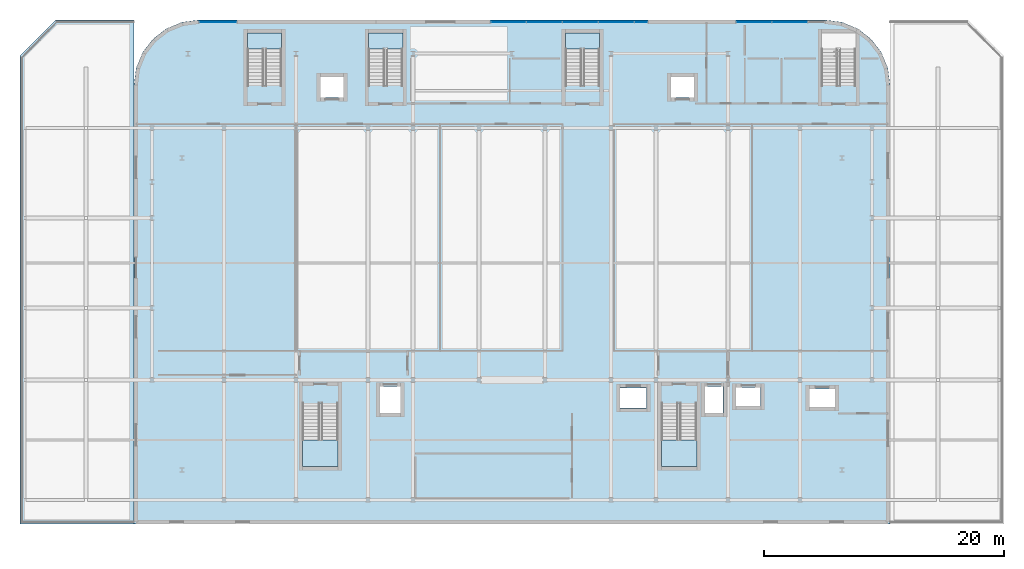
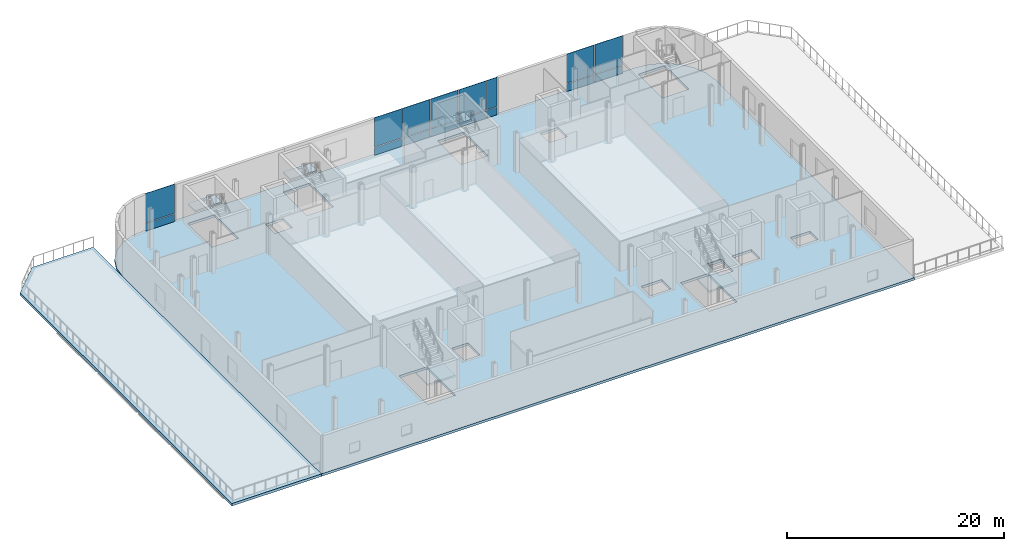
# One storey, part 13 of 26: 16 plates, 7 slabs, 8 elements without a shape of their own.
"""IFC4 building model written with IfcOpenShell, lengths in metres."""

from ifc_helpers import new_model, si_unit, direction, frame, origin, origin_2d, place, context, subcontext, project, spatial, polyline, rectangle, outline, extrude, material, layer, layer_set, type_object, element, aggregate, save


model = new_model("IFC4")

# Units and contexts
model_context = context("Model", 3, precision=1e-05, world=origin(), true_north=direction((0.0, 1.0)))
body_context = subcontext(model_context, "Body", "Model", "MODEL_VIEW")
ifc_project = project(units=[si_unit("LENGTHUNIT", "METRE"), si_unit("AREAUNIT", "SQUARE_METRE"), si_unit("VOLUMEUNIT", "CUBIC_METRE"), si_unit("PLANEANGLEUNIT", "RADIAN"), si_unit("MASSUNIT", "GRAM", prefix="KILO")], contexts=[model_context])

# Site, building, storey
site_placement = place(None, origin())
site = spatial("IfcSite", under=ifc_project, at=site_placement, CompositionType="ELEMENT")
building_placement = place(site_placement, origin())
building = spatial("IfcBuilding", under=site, at=building_placement, Name="Brevholm Reach", CompositionType="ELEMENT")
storey_placement = place(building_placement, frame((0.0, 0.0, 18.0)))
storey = spatial("IfcBuildingStorey", under=building, at=storey_placement, Name="L04", CompositionType="ELEMENT", Elevation=18.0)

# Curtain wall, plates
ifc_material_1 = material(Name="Dark Anodised Aluminium 6063-T6 and Solar-Control Glass", Category="aluminium")
ifc_layer_1 = layer(ifc_material_1, 0.1650390625)
ifc_layer_set_1 = layer_set([ifc_layer_1], Name="Dark Anodised Aluminium 6063-T6 and Solar-Control Glass")
curtain_wall_type = type_object("IfcCurtainWallType", Name="CW-03", PredefinedType="NOTDEFINED", material=ifc_layer_set_1)
curtain_wall_1_placement = place(storey_placement, origin())
curtain_wall_1 = element("IfcCurtainWall", 1, at=curtain_wall_1_placement, inside=storey, type_object=curtain_wall_type, Name="L04 Curtain Wall CW-03", PredefinedType="NOTDEFINED")
ifc_material_2 = material(Name="Triple-Glazed Acoustic School IGU Glass", Category="glass")
ifc_layer_2 = layer(ifc_material_2, 0.0439453125)
ifc_layer_set_2 = layer_set([ifc_layer_2], Name="Triple-Glazed Acoustic School IGU Glass")
plate_type = type_object("IfcPlateType", Name="CWP-ACU-44", PredefinedType="CURTAIN_PANEL", material=ifc_layer_set_2)
plate_1_placement = place(storey_placement, frame((5.5, 39.830078125, 0.0), z_axis=(0.0, 0.0, 1.0), x_axis=(1.0, 0.0, 0.0)))
plate_1 = element("IfcPlate", 2, at=plate_1_placement, type_object=plate_type, Name="CP-03 Glazing Panel 1.1", PredefinedType="CURTAIN_PANEL", context=body_context, shape_type="SweptSolid", body=[
    extrude(rectangle(XDim=3.06005859375, YDim=0.0439453125, at=origin_2d()), origin(), (0.0, 0.0, 1.0), 0.864990234375),
])
plate_2_placement = place(storey_placement, frame((5.5, 39.830078125, 0.93505859375), z_axis=(0.0, 0.0, 1.0), x_axis=(1.0, 0.0, 0.0)))
plate_2 = element("IfcPlate", 3, at=plate_2_placement, type_object=plate_type, Name="CP-03 Glazing Panel 1.2", PredefinedType="CURTAIN_PANEL", context=body_context, shape_type="SweptSolid", body=[
    extrude(rectangle(XDim=3.06005859375, YDim=0.0439453125, at=origin_2d()), origin(), (0.0, 0.0, 1.0), 3.284912109375),
])
aggregate(curtain_wall_1, [plate_1, plate_2])

curtain_wall_2_placement = place(storey_placement, origin())
curtain_wall_2 = element("IfcCurtainWall", 4, at=curtain_wall_2_placement, inside=storey, type_object=curtain_wall_type, Name="L04 Curtain Wall CW-03", PredefinedType="NOTDEFINED")
plate_3_placement = place(storey_placement, frame((29.717529296875, 39.830078125, 0.0), z_axis=(0.0, 0.0, 1.0), x_axis=(1.0, 0.0, 0.0)))
plate_3 = element("IfcPlate", 5, at=plate_3_placement, type_object=plate_type, Name="CP-03 Glazing Panel 1.1", PredefinedType="CURTAIN_PANEL", context=body_context, shape_type="SweptSolid", body=[
    extrude(rectangle(XDim=2.89501953125, YDim=0.0439453125, at=origin_2d()), origin(), (0.0, 0.0, 1.0), 0.864990234375),
])
plate_4_placement = place(storey_placement, frame((29.717529296875, 39.830078125, 0.93505859375), z_axis=(0.0, 0.0, 1.0), x_axis=(1.0, 0.0, 0.0)))
plate_4 = element("IfcPlate", 6, at=plate_4_placement, type_object=plate_type, Name="CP-03 Glazing Panel 1.2", PredefinedType="CURTAIN_PANEL", context=body_context, shape_type="SweptSolid", body=[
    extrude(rectangle(XDim=2.89501953125, YDim=0.0439453125, at=origin_2d()), origin(), (0.0, 0.0, 1.0), 3.284912109375),
])
plate_5_placement = place(storey_placement, frame((32.699951171875, 39.830078125, 0.0), z_axis=(0.0, 0.0, 1.0), x_axis=(1.0, 0.0, 0.0)))
plate_5 = element("IfcPlate", 7, at=plate_5_placement, type_object=plate_type, Name="CP-03 Glazing Panel 2.1", PredefinedType="CURTAIN_PANEL", context=body_context, shape_type="SweptSolid", body=[
    extrude(rectangle(XDim=2.929931640625, YDim=0.0439453125, at=origin_2d()), origin(), (0.0, 0.0, 1.0), 0.864990234375),
])
plate_6_placement = place(storey_placement, frame((32.699951171875, 39.830078125, 0.93505859375), z_axis=(0.0, 0.0, 1.0), x_axis=(1.0, 0.0, 0.0)))
plate_6 = element("IfcPlate", 8, at=plate_6_placement, type_object=plate_type, Name="CP-03 Glazing Panel 2.2", PredefinedType="CURTAIN_PANEL", context=body_context, shape_type="SweptSolid", body=[
    extrude(rectangle(XDim=2.929931640625, YDim=0.0439453125, at=origin_2d()), origin(), (0.0, 0.0, 1.0), 3.284912109375),
])
plate_7_placement = place(storey_placement, frame((35.699951171875, 39.830078125, 0.0), z_axis=(0.0, 0.0, 1.0), x_axis=(1.0, 0.0, 0.0)))
plate_7 = element("IfcPlate", 9, at=plate_7_placement, type_object=plate_type, Name="CP-03 Glazing Panel 3.1", PredefinedType="CURTAIN_PANEL", context=body_context, shape_type="SweptSolid", body=[
    extrude(rectangle(XDim=2.929931640625, YDim=0.0439453125, at=origin_2d()), origin(), (0.0, 0.0, 1.0), 0.864990234375),
])
plate_8_placement = place(storey_placement, frame((35.699951171875, 39.830078125, 0.93505859375), z_axis=(0.0, 0.0, 1.0), x_axis=(1.0, 0.0, 0.0)))
plate_8 = element("IfcPlate", 10, at=plate_8_placement, type_object=plate_type, Name="CP-03 Glazing Panel 3.2", PredefinedType="CURTAIN_PANEL", context=body_context, shape_type="SweptSolid", body=[
    extrude(rectangle(XDim=2.929931640625, YDim=0.0439453125, at=origin_2d()), origin(), (0.0, 0.0, 1.0), 3.284912109375),
])
plate_9_placement = place(storey_placement, frame((38.699951171875, 39.830078125, 0.0), z_axis=(0.0, 0.0, 1.0), x_axis=(1.0, 0.0, 0.0)))
plate_9 = element("IfcPlate", 11, at=plate_9_placement, type_object=plate_type, Name="CP-03 Glazing Panel 4.1", PredefinedType="CURTAIN_PANEL", context=body_context, shape_type="SweptSolid", body=[
    extrude(rectangle(XDim=2.929931640625, YDim=0.0439453125, at=origin_2d()), origin(), (0.0, 0.0, 1.0), 0.864990234375),
])
plate_10_placement = place(storey_placement, frame((38.699951171875, 39.830078125, 0.93505859375), z_axis=(0.0, 0.0, 1.0), x_axis=(1.0, 0.0, 0.0)))
plate_10 = element("IfcPlate", 12, at=plate_10_placement, type_object=plate_type, Name="CP-03 Glazing Panel 4.2", PredefinedType="CURTAIN_PANEL", context=body_context, shape_type="SweptSolid", body=[
    extrude(rectangle(XDim=2.929931640625, YDim=0.0439453125, at=origin_2d()), origin(), (0.0, 0.0, 1.0), 3.284912109375),
])
plate_11_placement = place(storey_placement, frame((40.757568359375, 39.830078125, 0.0), z_axis=(0.0, 0.0, 1.0), x_axis=(1.0, 0.0, 0.0)))
plate_11 = element("IfcPlate", 13, at=plate_11_placement, type_object=plate_type, Name="CP-03 Glazing Panel 5.1", PredefinedType="CURTAIN_PANEL", context=body_context, shape_type="SweptSolid", body=[
    extrude(rectangle(XDim=1.044921875, YDim=0.0439453125, at=origin_2d()), origin(), (0.0, 0.0, 1.0), 0.864990234375),
])
plate_12_placement = place(storey_placement, frame((40.757568359375, 39.830078125, 0.93505859375), z_axis=(0.0, 0.0, 1.0), x_axis=(1.0, 0.0, 0.0)))
plate_12 = element("IfcPlate", 14, at=plate_12_placement, type_object=plate_type, Name="CP-03 Glazing Panel 5.2", PredefinedType="CURTAIN_PANEL", context=body_context, shape_type="SweptSolid", body=[
    extrude(rectangle(XDim=1.044921875, YDim=0.0439453125, at=origin_2d()), origin(), (0.0, 0.0, 1.0), 3.284912109375),
])
aggregate(curtain_wall_2, [plate_3, plate_4, plate_5, plate_6, plate_7, plate_8, plate_9, plate_10, plate_11, plate_12])

curtain_wall_3_placement = place(storey_placement, origin())
curtain_wall_3 = element("IfcCurtainWall", 15, at=curtain_wall_3_placement, inside=storey, type_object=curtain_wall_type, Name="L04 Curtain Wall CW-03", PredefinedType="NOTDEFINED")
plate_13_placement = place(storey_placement, frame((50.16748046875, 39.830078125, 0.0), z_axis=(0.0, 0.0, 1.0), x_axis=(1.0, 0.0, 0.0)))
plate_13 = element("IfcPlate", 16, at=plate_13_placement, type_object=plate_type, Name="CP-03 Glazing Panel 1.1", PredefinedType="CURTAIN_PANEL", context=body_context, shape_type="SweptSolid", body=[
    extrude(rectangle(XDim=2.89501953125, YDim=0.0439453125, at=origin_2d()), origin(), (0.0, 0.0, 1.0), 0.864990234375),
])
plate_14_placement = place(storey_placement, frame((50.16748046875, 39.830078125, 0.93505859375), z_axis=(0.0, 0.0, 1.0), x_axis=(1.0, 0.0, 0.0)))
plate_14 = element("IfcPlate", 17, at=plate_14_placement, type_object=plate_type, Name="CP-03 Glazing Panel 1.2", PredefinedType="CURTAIN_PANEL", context=body_context, shape_type="SweptSolid", body=[
    extrude(rectangle(XDim=2.89501953125, YDim=0.0439453125, at=origin_2d()), origin(), (0.0, 0.0, 1.0), 3.284912109375),
])
plate_15_placement = place(storey_placement, frame((53.14990234375, 39.830078125, 0.0), z_axis=(0.0, 0.0, 1.0), x_axis=(1.0, 0.0, 0.0)))
plate_15 = element("IfcPlate", 18, at=plate_15_placement, type_object=plate_type, Name="CP-03 Glazing Panel 2.1", PredefinedType="CURTAIN_PANEL", context=body_context, shape_type="SweptSolid", body=[
    extrude(rectangle(XDim=2.929931640625, YDim=0.0439453125, at=origin_2d()), origin(), (0.0, 0.0, 1.0), 0.864990234375),
])
plate_16_placement = place(storey_placement, frame((53.14990234375, 39.830078125, 0.93505859375), z_axis=(0.0, 0.0, 1.0), x_axis=(1.0, 0.0, 0.0)))
plate_16 = element("IfcPlate", 19, at=plate_16_placement, type_object=plate_type, Name="CP-03 Glazing Panel 2.2", PredefinedType="CURTAIN_PANEL", context=body_context, shape_type="SweptSolid", body=[
    extrude(rectangle(XDim=2.929931640625, YDim=0.0439453125, at=origin_2d()), origin(), (0.0, 0.0, 1.0), 3.284912109375),
])
aggregate(curtain_wall_3, [plate_13, plate_14, plate_15, plate_16])

# Slab
ifc_material_3 = material(Name="Concrete C40/50", Category="concrete")
ifc_layer_3 = layer(ifc_material_3, 0.280029296875)
ifc_layer_set_3 = layer_set([ifc_layer_3], Name="Concrete C40/50")
slab_type_1 = type_object("IfcSlabType", Name="SLB-FL-280", PredefinedType="FLOOR", material=ifc_layer_set_3)
slab_1_placement = place(storey_placement, frame((0.0, 0.0, -0.280029296875)))
element("IfcSlab", 20, at=slab_1_placement, inside=storey, type_object=slab_type_1, Name="L04 Suspended Floor Slab (main)", PredefinedType="FLOOR", context=body_context, shape_type="SweptSolid", body=[
    extrude(outline(polyline([(-1.5, -2.0), (61.5, -2.0), (61.5, 34.60009765625), (61.31591796875, 35.99755859375), (60.776611328125, 37.300048828125), (59.91845703125, 38.41845703125), (58.800048828125, 39.276611328125), (57.49755859375, 39.81591796875), (56.10009765625, 40.0), (3.89990234375, 40.0), (2.50244140625, 39.81591796875), (1.199951171875, 39.276611328125), (0.08154296875, 38.41845703125), (-0.776611328125, 37.300048828125), (-1.31591796875, 35.99755859375), (-1.5, 34.60009765625), (-1.5, -2.0)]), holes=[polyline([(12.550048828125, 2.780029296875), (15.5, 2.780029296875), (15.5, 8.044921875), (12.550048828125, 8.044921875), (12.550048828125, 2.780029296875)]), polyline([(42.449951171875, 2.780029296875), (45.39990234375, 2.780029296875), (45.39990234375, 8.044921875), (42.449951171875, 8.044921875), (42.449951171875, 2.780029296875)]), polyline([(7.949951171875, 34.554931640625), (10.800048828125, 34.554931640625), (10.800048828125, 38.929931640625), (7.949951171875, 38.929931640625), (7.949951171875, 34.554931640625)]), polyline([(18.050048828125, 34.554931640625), (20.89990234375, 34.554931640625), (20.89990234375, 38.929931640625), (18.050048828125, 38.929931640625), (18.050048828125, 34.554931640625)]), polyline([(34.449951171875, 34.554931640625), (37.300048828125, 34.554931640625), (37.300048828125, 38.929931640625), (34.449951171875, 38.929931640625), (34.449951171875, 34.554931640625)]), polyline([(55.800048828125, 34.554931640625), (58.64990234375, 34.554931640625), (58.64990234375, 38.929931640625), (55.800048828125, 38.929931640625), (55.800048828125, 34.554931640625)]), polyline([(19.0, 7.25), (20.699951171875, 7.25), (20.699951171875, 9.449951171875), (19.0, 9.449951171875), (19.0, 7.25)]), polyline([(46.10009765625, 7.25), (47.60009765625, 7.25), (47.60009765625, 9.449951171875), (46.10009765625, 9.449951171875), (46.10009765625, 7.25)]), polyline([(48.675048828125, 7.824951171875), (50.72509765625, 7.824951171875), (50.72509765625, 9.375), (48.675048828125, 9.375), (48.675048828125, 7.824951171875)]), polyline([(54.800048828125, 7.75), (56.89990234375, 7.75), (56.89990234375, 9.25), (54.800048828125, 9.25), (54.800048828125, 7.75)]), polyline([(39.02001953125, 7.64990234375), (41.219970703125, 7.64990234375), (41.219970703125, 9.35009765625), (39.02001953125, 9.35009765625), (39.02001953125, 7.64990234375)]), polyline([(14.050048828125, 33.550048828125), (15.949951171875, 33.550048828125), (15.949951171875, 35.25), (14.050048828125, 35.25), (14.050048828125, 33.550048828125)]), polyline([(43.25, 33.550048828125), (45.14990234375, 33.550048828125), (45.14990234375, 35.25), (43.25, 35.25), (43.25, 33.550048828125)])]), origin(), (0.0, 0.0, 1.0), 0.280029296875),
])

# Stair, slab
ifc_material_4 = material(Name="Precast Concrete C40/50", Category="concrete")
stair_type_1 = type_object("IfcStairType", Name="STR-ESC-1400", PredefinedType="DOUBLE_RETURN_STAIR", material=ifc_material_4)
stair_1_placement = place(storey_placement, origin())
stair_1 = element("IfcStair", 21, at=stair_1_placement, inside=storey, type_object=stair_type_1, Name="L04 ST-1", PredefinedType="DOUBLE_RETURN_STAIR")
ifc_material_5 = material(Name="Concrete C40/50", Category="concrete")
ifc_layer_4 = layer(ifc_material_5, 0.199951171875)
ifc_layer_set_4 = layer_set([ifc_layer_4], Name="Concrete C40/50")
slab_type_2 = type_object("IfcSlabType", Name="SLB-LND-200", PredefinedType="LANDING", material=ifc_layer_set_4)
slab_2_placement = place(storey_placement, frame((0.0, 0.0, 2.050048828125)))
slab_2 = element("IfcSlab", 22, at=slab_2_placement, type_object=slab_type_2, Name="ST-1 landing 1", PredefinedType="LANDING", context=body_context, shape_type="SweptSolid", body=[
    extrude(outline(polyline([(12.550048828125, 5.02001953125), (12.550048828125, 2.780029296875), (15.5, 2.780029296875), (15.5, 5.02001953125), (12.550048828125, 5.02001953125)])), origin(), (0.0, 0.0, 1.0), 0.199951171875),
])
aggregate(stair_1, [slab_2])

stair_2_placement = place(storey_placement, origin())
stair_2 = element("IfcStair", 23, at=stair_2_placement, inside=storey, type_object=stair_type_1, Name="L04 ST-2", PredefinedType="DOUBLE_RETURN_STAIR")
slab_3_placement = place(storey_placement, frame((0.0, 0.0, 2.050048828125)))
slab_3 = element("IfcSlab", 24, at=slab_3_placement, type_object=slab_type_2, Name="ST-2 landing 1", PredefinedType="LANDING", context=body_context, shape_type="SweptSolid", body=[
    extrude(outline(polyline([(42.449951171875, 5.02001953125), (42.449951171875, 2.780029296875), (45.39990234375, 2.780029296875), (45.39990234375, 5.02001953125), (42.449951171875, 5.02001953125)])), origin(), (0.0, 0.0, 1.0), 0.199951171875),
])
aggregate(stair_2, [slab_3])

ifc_material_6 = material(Name="Precast Concrete C40/50", Category="concrete")
stair_type_2 = type_object("IfcStairType", Name="STR-ESC-1250", PredefinedType="DOUBLE_RETURN_STAIR", material=ifc_material_6)
stair_3_placement = place(storey_placement, origin())
stair_3 = element("IfcStair", 25, at=stair_3_placement, inside=storey, type_object=stair_type_2, Name="L04 ST-S1", PredefinedType="DOUBLE_RETURN_STAIR")
slab_4_placement = place(storey_placement, frame((0.0, 0.0, 2.050048828125)))
slab_4 = element("IfcSlab", 26, at=slab_4_placement, type_object=slab_type_2, Name="ST-S1 landing 1", PredefinedType="LANDING", context=body_context, shape_type="SweptSolid", body=[
    extrude(outline(polyline([(10.800048828125, 37.580078125), (10.800048828125, 38.929931640625), (7.949951171875, 38.929931640625), (7.949951171875, 37.580078125), (10.800048828125, 37.580078125)])), origin(), (0.0, 0.0, 1.0), 0.199951171875),
])
aggregate(stair_3, [slab_4])

stair_4_placement = place(storey_placement, origin())
stair_4 = element("IfcStair", 27, at=stair_4_placement, inside=storey, type_object=stair_type_2, Name="L04 ST-S2", PredefinedType="DOUBLE_RETURN_STAIR")
slab_5_placement = place(storey_placement, frame((0.0, 0.0, 2.050048828125)))
slab_5 = element("IfcSlab", 28, at=slab_5_placement, type_object=slab_type_2, Name="ST-S2 landing 1", PredefinedType="LANDING", context=body_context, shape_type="SweptSolid", body=[
    extrude(outline(polyline([(20.89990234375, 37.580078125), (20.89990234375, 38.929931640625), (18.050048828125, 38.929931640625), (18.050048828125, 37.580078125), (20.89990234375, 37.580078125)])), origin(), (0.0, 0.0, 1.0), 0.199951171875),
])
aggregate(stair_4, [slab_5])

stair_5_placement = place(storey_placement, origin())
stair_5 = element("IfcStair", 29, at=stair_5_placement, inside=storey, type_object=stair_type_2, Name="L04 ST-S3", PredefinedType="DOUBLE_RETURN_STAIR")
slab_6_placement = place(storey_placement, frame((0.0, 0.0, 2.050048828125)))
slab_6 = element("IfcSlab", 30, at=slab_6_placement, type_object=slab_type_2, Name="ST-S3 landing 1", PredefinedType="LANDING", context=body_context, shape_type="SweptSolid", body=[
    extrude(outline(polyline([(37.300048828125, 37.580078125), (37.300048828125, 38.929931640625), (34.449951171875, 38.929931640625), (34.449951171875, 37.580078125), (37.300048828125, 37.580078125)])), origin(), (0.0, 0.0, 1.0), 0.199951171875),
])
aggregate(stair_5, [slab_6])

# Slab
ifc_material_7 = material(Name="Concrete C40/50", Category="concrete")
ifc_layer_5 = layer(ifc_material_7, 0.2900390625)
ifc_layer_set_5 = layer_set([ifc_layer_5], Name="Concrete C40/50")
slab_type_3 = type_object("IfcSlabType", Name="SLB-RF-290", PredefinedType="ROOF", material=ifc_layer_set_5)
slab_7_placement = place(storey_placement, frame((0.0, 0.0, -0.280029296875)))
element("IfcSlab", 31, at=slab_7_placement, inside=storey, type_object=slab_type_3, Name="Outdoor Terrace Roof Slab (playdeck-l04-w)", PredefinedType="ROOF", context=body_context, shape_type="SweptSolid", body=[
    extrude(outline(polyline([(-11.0, -2.0), (-1.5, -2.0), (-1.5, 40.0), (-8.0, 40.0), (-11.0, 37.0), (-11.0, -2.0)])), origin(), (0.0, 0.0, 1.0), 0.2900390625),
])

save(model, "model.ifc")
